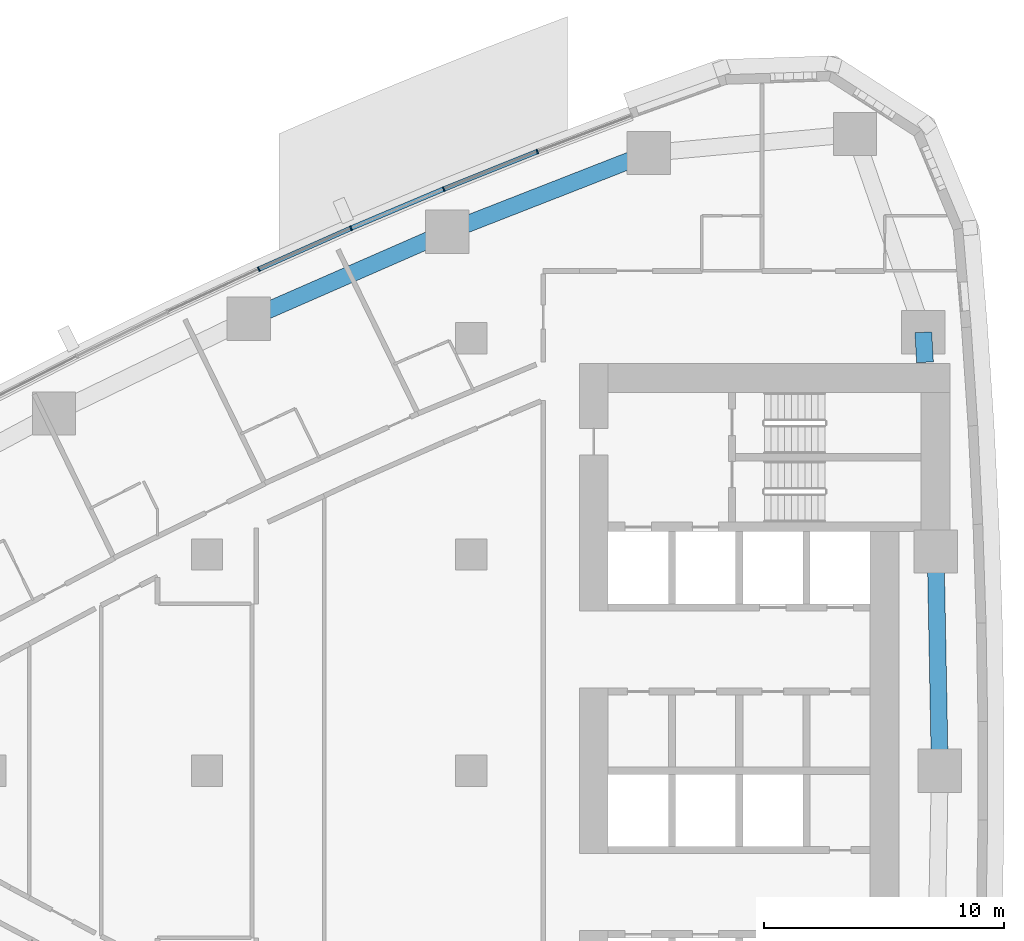
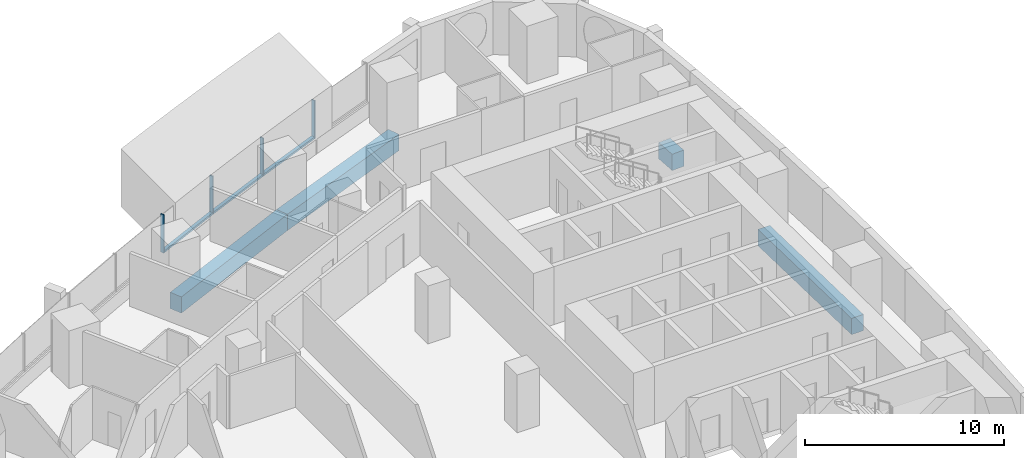
# One storey, part 6 of 19: 7 members, 4 beams, 2 elements without a shape of their own.
"""IFC4 building model written with IfcOpenShell, lengths in metres."""

from ifc_helpers import new_model, si_unit, direction, frame, origin, origin_2d, place, context, subcontext, project, spatial, rectangle, extrude, material, layer, layer_set, material_profile, profile_set, type_object, element, aggregate, save


model = new_model("IFC4")

# Units and contexts
model_context = context("Model", 3, precision=1e-05, world=origin(), true_north=direction((0.0, 1.0)))
body_context = subcontext(model_context, "Body", "Model", "MODEL_VIEW")
ifc_project = project(units=[si_unit("LENGTHUNIT", "METRE"), si_unit("AREAUNIT", "SQUARE_METRE"), si_unit("VOLUMEUNIT", "CUBIC_METRE"), si_unit("PLANEANGLEUNIT", "RADIAN"), si_unit("MASSUNIT", "GRAM", prefix="KILO")], contexts=[model_context])

# Site, building, storey
site_placement = place(None, origin())
site = spatial("IfcSite", under=ifc_project, at=site_placement, CompositionType="ELEMENT")
building_placement = place(site_placement, origin())
building = spatial("IfcBuilding", under=site, at=building_placement, Name="Ostrand Prow Hotel Tower", CompositionType="ELEMENT")
storey_placement = place(building_placement, frame((0.0, 0.0, 68.0)))
storey = spatial("IfcBuildingStorey", under=building, at=storey_placement, Name="L15", CompositionType="ELEMENT", Elevation=68.0)

# Beams
ifc_material_1 = material(Name="Concrete C80/95", Category="concrete")
ifc_material_profile_1 = material_profile(ifc_material_1, rectangle(XDim=0.699951171875, YDim=1.0, at=origin_2d()), Name="RC 700x1000")
ifc_profile_set_1 = profile_set([ifc_material_profile_1], Name="Concrete C80/95")
beam_type = type_object("IfcBeamType", Name="Edge beam 700x1000 C80/95", PredefinedType="SPANDREL", material=ifc_profile_set_1)
beam_1_placement = place(storey_placement, frame((64.5, 0.0, -0.800048828125), z_axis=(-0.018793471688, 0.999823387115, 0.0), x_axis=(-0.999823387115, -0.018793471688, 0.0)))
element("IfcBeam", 1, at=beam_1_placement, inside=storey, type_object=beam_type, Name="Edge beam B3-B4", PredefinedType="SPANDREL", context=body_context, shape_type="SweptSolid", body=[
    extrude(rectangle(XDim=0.699951171875, YDim=1.0, at=origin_2d()), origin(), (0.0, 0.0, 1.0), 9.132568359375),
])
beam_2_placement = place(storey_placement, frame((63.8837890625, 17.0, -0.800048828125), z_axis=(-0.056215946509, 0.998418633319, 0.0), x_axis=(-0.998418633319, -0.056215946509, 0.0)))
element("IfcBeam", 2, at=beam_2_placement, inside=storey, type_object=beam_type, Name="Edge beam B4-B5", PredefinedType="SPANDREL", context=body_context, shape_type="SweptSolid", body=[
    extrude(rectangle(XDim=0.699951171875, YDim=1.0, at=origin_2d()), origin(), (0.0, 0.0, 1.0), 1.250732421875),
])
for number, where, z_axis, x_axis, name in (
    (3, (52.3916015625, 25.710205078125, -0.800048828125), (-0.931329480916, -0.364177701098, 0.0), (0.364177701098, -0.931329480916, 0.0), "Edge beam N1-N2"),
    (4, (43.997802734375, 22.427978515625, -0.800048828125), (-0.916095776162, -0.400959510297, 0.0), (0.400959510297, -0.916095776162, 0.0), "Edge beam N2-N3"),
):
    element("IfcBeam", number, at=place(storey_placement, frame(where, z_axis=z_axis, x_axis=x_axis)), inside=storey, type_object=beam_type, Name=name, PredefinedType="SPANDREL", context=body_context, shape_type="SweptSolid", body=[
        extrude(rectangle(XDim=0.699951171875, YDim=1.0, at=origin_2d()), origin(), (0.0, 0.0, 1.0), 9.0126953125),
    ])

# Curtain wall, members
ifc_material_2 = material(Name="Insulated glass in bronze anodised frame", Category="glass")
ifc_layer = layer(ifc_material_2, 0.199951171875)
ifc_layer_set = layer_set([ifc_layer], Name="Insulated glass in bronze anodised frame")
curtain_wall_type = type_object("IfcCurtainWallType", Name="Strip curtain wall, fritted glass over bronze spandrel", PredefinedType="NOTDEFINED", material=ifc_layer_set)
curtain_wall_1_placement = place(storey_placement, origin())
curtain_wall_1 = element("IfcCurtainWall", 5, at=curtain_wall_1_placement, inside=storey, type_object=curtain_wall_type, Name="CW1 run CWN1", PredefinedType="NOTDEFINED")
ifc_material_3 = material(Name="Bronze anodised aluminium", Category="aluminium")
ifc_material_profile_2 = material_profile(ifc_material_3, rectangle(XDim=0.199951171875, YDim=0.06005859375, at=origin_2d()), Name="Mullion 60x200 bronze anodised aluminium")
ifc_profile_set_2 = profile_set([ifc_material_profile_2], Name="Bronze anodised aluminium")
member_type_1 = type_object("IfcMemberType", Name="Mullion 60x200 bronze anodised aluminium", PredefinedType="MULLION", material=ifc_profile_set_2)
member_1_placement = place(storey_placement, frame((47.7529296875, 25.769775390625, 0.89990234375), z_axis=(0.0, 0.0, 1.0), x_axis=(0.371873380669, -0.928283463577, 0.0)))
member_1 = element("IfcMember", 6, at=member_1_placement, type_object=member_type_1, Name="CW1 mullion 2", PredefinedType="MULLION", context=body_context, shape_type="SweptSolid", body=[
    extrude(rectangle(XDim=0.199951171875, YDim=0.06005859375, at=origin_2d()), origin(), (0.0, 0.0, 1.0), 2.35009765625),
])
member_2_placement = place(storey_placement, frame((43.859619140625, 24.210205078125, 0.89990234375), z_axis=(0.0, 0.0, 1.0), x_axis=(0.371873380669, -0.928283463577, 0.0)))
member_2 = element("IfcMember", 7, at=member_2_placement, type_object=member_type_1, Name="CW1 mullion 3", PredefinedType="MULLION", context=body_context, shape_type="SweptSolid", body=[
    extrude(rectangle(XDim=0.199951171875, YDim=0.06005859375, at=origin_2d()), origin(), (0.0, 0.0, 1.0), 2.35009765625),
])

curtain_wall_2_placement = place(storey_placement, origin())
curtain_wall_2 = element("IfcCurtainWall", 8, at=curtain_wall_2_placement, inside=storey, type_object=curtain_wall_type, Name="CW1 run CWN2", PredefinedType="NOTDEFINED")
member_3_placement = place(storey_placement, frame((39.99560546875, 22.5791015625, 0.89990234375), z_axis=(0.0, 0.0, 1.0), x_axis=(0.405779757666, -0.913970890274, 0.0)))
member_3 = element("IfcMember", 9, at=member_3_placement, type_object=member_type_1, Name="CW1 mullion 2", PredefinedType="MULLION", context=body_context, shape_type="SweptSolid", body=[
    extrude(rectangle(XDim=0.199951171875, YDim=0.06005859375, at=origin_2d()), origin(), (0.0, 0.0, 1.0), 2.35009765625),
])
member_4_placement = place(storey_placement, frame((36.162109375, 20.876953125, 0.89990234375), z_axis=(0.0, 0.0, 1.0), x_axis=(0.405779757666, -0.913970890274, 0.0)))
member_4 = element("IfcMember", 10, at=member_4_placement, type_object=member_type_1, Name="CW1 mullion 3", PredefinedType="MULLION", context=body_context, shape_type="SweptSolid", body=[
    extrude(rectangle(XDim=0.199951171875, YDim=0.06005859375, at=origin_2d()), origin(), (0.0, 0.0, 1.0), 2.35009765625),
])

# Member
ifc_material_4 = material(Name="Bronze anodised aluminium", Category="aluminium")
ifc_material_profile_3 = material_profile(ifc_material_4, rectangle(XDim=0.199951171875, YDim=0.1201171875, at=origin_2d()), Name="Transom 120x200 bronze anodised aluminium")
ifc_profile_set_3 = profile_set([ifc_material_profile_3], Name="Bronze anodised aluminium")
member_type_2 = type_object("IfcMemberType", Name="Transom 120x200 bronze anodised aluminium", PredefinedType="USERDEFINED", material=ifc_profile_set_3)
member_5_placement = place(storey_placement, frame((47.72509765625, 25.7587890625, 0.9599609375), z_axis=(-0.928264761225, -0.371920062739, 0.0), x_axis=(0.371920062739, -0.928264761225, 0.0)))
member_5 = element("IfcMember", 11, at=member_5_placement, type_object=member_type_2, Name="CW1 transom 2.1", ObjectType="TRANSOM", PredefinedType="USERDEFINED", context=body_context, shape_type="SweptSolid", body=[
    extrude(rectangle(XDim=0.199951171875, YDim=0.1201171875, at=origin_2d()), origin(), (0.0, 0.0, 1.0), 4.13427734375),
])

aggregate(curtain_wall_1, [member_1, member_2, member_5])

member_6_placement = place(storey_placement, frame((43.831787109375, 24.198486328125, 0.9599609375), z_axis=(-0.921284828297, -0.388888499637, 0.0), x_axis=(0.388888499637, -0.921284828297, 0.0)))
member_6 = element("IfcMember", 12, at=member_6_placement, type_object=member_type_2, Name="CW1 transom 1.1", ObjectType="TRANSOM", PredefinedType="USERDEFINED", context=body_context, shape_type="SweptSolid", body=[
    extrude(rectangle(XDim=0.199951171875, YDim=0.1201171875, at=origin_2d()), origin(), (0.0, 0.0, 1.0), 4.134033203125),
])

member_7_placement = place(storey_placement, frame((39.968017578125, 22.56689453125, 0.9599609375), z_axis=(-0.913957599094, -0.405809693156, 0.0), x_axis=(0.405809693156, -0.913957599094, 0.0)))
member_7 = element("IfcMember", 13, at=member_7_placement, type_object=member_type_2, Name="CW1 transom 2.1", ObjectType="TRANSOM", PredefinedType="USERDEFINED", context=body_context, shape_type="SweptSolid", body=[
    extrude(rectangle(XDim=0.199951171875, YDim=0.1201171875, at=origin_2d()), origin(), (0.0, 0.0, 1.0), 4.13427734375),
])

aggregate(curtain_wall_2, [member_3, member_4, member_6, member_7])

save(model, "model.ifc")
